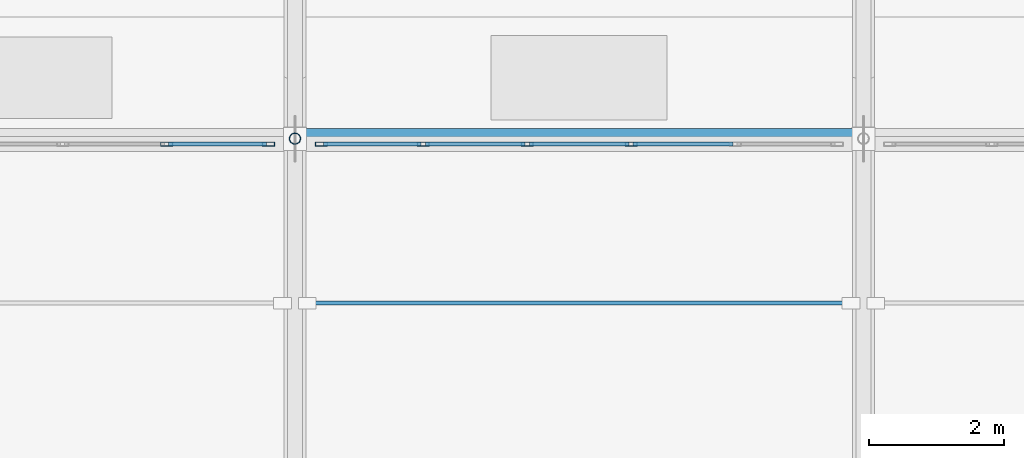
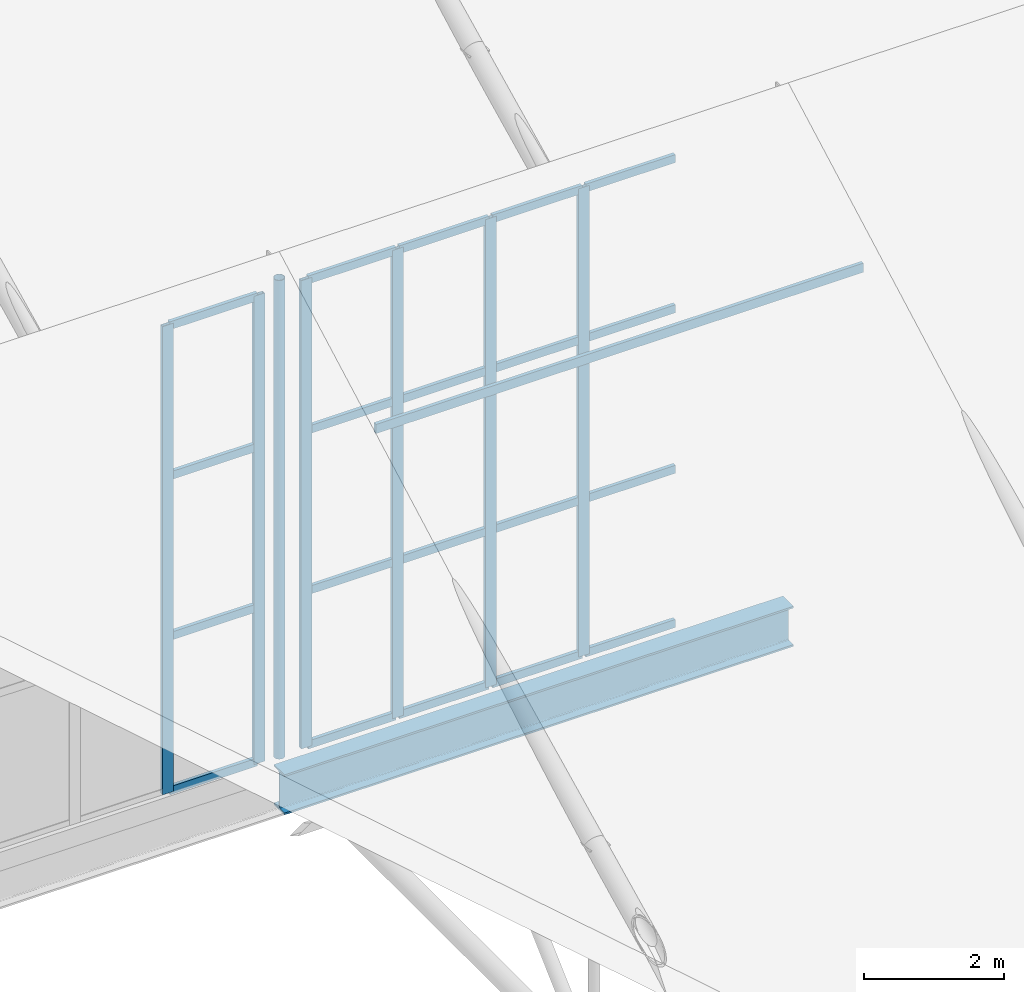
# One storey, part 13 of 38: 28 members, 1 beam, 2 elements without a shape of their own.
"""IFC4 building model written with IfcOpenShell, lengths in metres."""

from ifc_helpers import new_model, si_unit, direction, frame, origin, origin_2d, place, context, subcontext, project, spatial, hollow_rectangle, hollow_circle, i_section, extrude, material, material_profile, profile_set, type_object, element, aggregate, save


model = new_model("IFC4")

# Units and contexts
model_context = context("Model", 3, precision=1e-05, world=origin(), true_north=direction((0.0, 1.0)))
body_context = subcontext(model_context, "Body", "Model", "MODEL_VIEW")
ifc_project = project(units=[si_unit("LENGTHUNIT", "METRE"), si_unit("AREAUNIT", "SQUARE_METRE"), si_unit("VOLUMEUNIT", "CUBIC_METRE"), si_unit("PLANEANGLEUNIT", "RADIAN"), si_unit("MASSUNIT", "GRAM", prefix="KILO")], contexts=[model_context])

# Site, building, storey
site_placement = place(None, origin())
site = spatial("IfcSite", under=ifc_project, at=site_placement, CompositionType="ELEMENT")
building_placement = place(site_placement, origin())
building = spatial("IfcBuilding", under=site, at=building_placement, Name="Veltarok Museum of Natural Sciences", CompositionType="ELEMENT")
storey_placement = place(building_placement, frame((0.0, 0.0, 31.199951171875)))
storey = spatial("IfcBuildingStorey", under=building, at=storey_placement, Name="RF", CompositionType="ELEMENT", Elevation=31.199951171875)

# Beam
ifc_material_1 = material(Name="Steel S355J2", Category="steel")
ifc_material_profile_1 = material_profile(ifc_material_1, i_section(OverallWidth=0.300048828125, OverallDepth=0.699951171875, WebThickness=0.01708984375, FlangeThickness=0.031982421875, FilletRadius=0.027099609375, at=origin_2d()), Name="HEB 700")
ifc_profile_set_1 = profile_set([ifc_material_profile_1], Name="Steel S355J2")
beam_type = type_object("IfcBeamType", Name="Long-Span Hall Girder HEB 700", PredefinedType="BEAM", material=ifc_profile_set_1)
beam_placement = place(storey_placement, frame((73.60009765625, 54.0, -6.389892578125), z_axis=(1.0, 0.0, 0.0), x_axis=(0.0, 1.0, 0.0)))
element("IfcBeam", 1, at=beam_placement, inside=storey, type_object=beam_type, Name="Sawtooth Valley Girder 9-10 Y=54.0", PredefinedType="BEAM", context=body_context, shape_type="SweptSolid", body=[
    extrude(i_section(OverallWidth=0.300048828125, OverallDepth=0.699951171875, WebThickness=0.01708984375, FlangeThickness=0.031982421875, FilletRadius=0.027099609375, at=origin_2d()), origin(), (0.0, 0.0, 1.0), 8.39990234375),
])

# Curtain wall, members
ifc_material_2 = material(Name="Low-iron triple insulated glass", Category="glass")
curtain_wall_type = type_object("IfcCurtainWallType", Name="Curtain Wall System CW-SAW-M1-768x817 (Sawtooth North Clerestory M1 768x817cm)", PredefinedType="NOTDEFINED", material=ifc_material_2)
curtain_wall_1_placement = place(storey_placement, origin())
curtain_wall_1 = element("IfcCurtainWall", 2, at=curtain_wall_1_placement, inside=storey, type_object=curtain_wall_type, Name="Curtain Wall CW-SAW-M1-768x817 CW-SAW-0078", PredefinedType="NOTDEFINED")
ifc_material_3 = material(Name="Thermally broken anodised aluminium", Category="aluminium")
ifc_material_profile_2 = material_profile(ifc_material_3, hollow_rectangle(XDim=0.06005859375, YDim=0.179931640625, WallThickness=0.006103515625, at=origin_2d()), Name="CW MULLION 60x180x6")
ifc_profile_set_2 = profile_set([ifc_material_profile_2], Name="Thermally broken anodised aluminium")
member_type_1 = type_object("IfcMemberType", Name="Sawtooth Clerestory Mullion 60x180x6", PredefinedType="MULLION", material=ifc_profile_set_2)
member_1_placement = place(storey_placement, frame((73.2099609375, 53.919921875, -5.719970703125), z_axis=(0.0, 0.0, 1.0), x_axis=(0.0, -1.0, 0.0)))
member_1 = element("IfcMember", 3, at=member_1_placement, type_object=member_type_1, Name="CW-SAW-M1-768x817 mullion 1", PredefinedType="MULLION", context=body_context, shape_type="SweptSolid", body=[
    extrude(hollow_rectangle(XDim=0.06005859375, YDim=0.179931640625, WallThickness=0.006103515625, at=origin_2d()), origin(), (0.0, 0.0, 1.0), 8.169921875),
])
member_2_placement = place(storey_placement, frame((71.7041015625, 53.919921875, -5.719970703125), z_axis=(0.0, 0.0, 1.0), x_axis=(0.0, -1.0, 0.0)))
member_2 = element("IfcMember", 4, at=member_2_placement, type_object=member_type_1, Name="CW-SAW-M1-768x817 mullion 2", PredefinedType="MULLION", context=body_context, shape_type="SweptSolid", body=[
    extrude(hollow_rectangle(XDim=0.06005859375, YDim=0.179931640625, WallThickness=0.006103515625, at=origin_2d()), origin(), (0.0, 0.0, 1.0), 8.169921875),
])

curtain_wall_2_placement = place(storey_placement, origin())
curtain_wall_2 = element("IfcCurtainWall", 5, at=curtain_wall_2_placement, inside=storey, type_object=curtain_wall_type, Name="Curtain Wall CW-SAW-M1-768x817 CW-SAW-0080", PredefinedType="NOTDEFINED")
member_3_placement = place(storey_placement, frame((78.568115234375, 53.919921875, -5.719970703125), z_axis=(0.0, 0.0, 1.0), x_axis=(0.0, -1.0, 0.0)))
member_3 = element("IfcMember", 6, at=member_3_placement, type_object=member_type_1, Name="CW-SAW-M1-768x817 mullion 3", PredefinedType="MULLION", context=body_context, shape_type="SweptSolid", body=[
    extrude(hollow_rectangle(XDim=0.06005859375, YDim=0.179931640625, WallThickness=0.006103515625, at=origin_2d()), origin(), (0.0, 0.0, 1.0), 8.169921875),
])
member_4_placement = place(storey_placement, frame((77.031982421875, 53.919921875, -5.719970703125), z_axis=(0.0, 0.0, 1.0), x_axis=(0.0, -1.0, 0.0)))
member_4 = element("IfcMember", 7, at=member_4_placement, type_object=member_type_1, Name="CW-SAW-M1-768x817 mullion 4", PredefinedType="MULLION", context=body_context, shape_type="SweptSolid", body=[
    extrude(hollow_rectangle(XDim=0.06005859375, YDim=0.179931640625, WallThickness=0.006103515625, at=origin_2d()), origin(), (0.0, 0.0, 1.0), 8.169921875),
])
member_5_placement = place(storey_placement, frame((75.49609375, 53.919921875, -5.719970703125), z_axis=(0.0, 0.0, 1.0), x_axis=(0.0, -1.0, 0.0)))
member_5 = element("IfcMember", 8, at=member_5_placement, type_object=member_type_1, Name="CW-SAW-M1-768x817 mullion 5", PredefinedType="MULLION", context=body_context, shape_type="SweptSolid", body=[
    extrude(hollow_rectangle(XDim=0.06005859375, YDim=0.179931640625, WallThickness=0.006103515625, at=origin_2d()), origin(), (0.0, 0.0, 1.0), 8.169921875),
])
member_6_placement = place(storey_placement, frame((73.989990234375, 53.919921875, -5.719970703125), z_axis=(0.0, 0.0, 1.0), x_axis=(0.0, -1.0, 0.0)))
member_6 = element("IfcMember", 9, at=member_6_placement, type_object=member_type_1, Name="CW-SAW-M1-768x817 mullion 6", PredefinedType="MULLION", context=body_context, shape_type="SweptSolid", body=[
    extrude(hollow_rectangle(XDim=0.06005859375, YDim=0.179931640625, WallThickness=0.006103515625, at=origin_2d()), origin(), (0.0, 0.0, 1.0), 8.169921875),
])

# Member
ifc_material_profile_3 = material_profile(ifc_material_3, hollow_rectangle(XDim=0.06005859375, YDim=0.139892578125, WallThickness=0.0048828125, at=origin_2d()), Name="CW TRANSOM 60x140x5")
ifc_profile_set_3 = profile_set([ifc_material_profile_3], Name="Thermally broken anodised aluminium")
member_type_2 = type_object("IfcMemberType", Name="Sawtooth Clerestory Transom 60x140x5", PredefinedType="USERDEFINED", material=ifc_profile_set_3)
member_7_placement = place(storey_placement, frame((73.179931640625, 53.919921875, -5.68994140625), z_axis=(-1.0, 0.0, 0.0), x_axis=(0.0, -1.0, 0.0)))
member_7 = element("IfcMember", 10, at=member_7_placement, type_object=member_type_2, Name="CW-SAW-M1-768x817 transom 1.1", ObjectType="TRANSOM", PredefinedType="USERDEFINED", context=body_context, shape_type="SweptSolid", body=[
    extrude(hollow_rectangle(XDim=0.06005859375, YDim=0.139892578125, WallThickness=0.0048828125, at=origin_2d()), origin(), (0.0, 0.0, 1.0), 1.446044921875),
])

member_8_placement = place(storey_placement, frame((73.179931640625, 53.919921875, -3.0), z_axis=(-1.0, 0.0, 0.0), x_axis=(0.0, -1.0, 0.0)))
member_8 = element("IfcMember", 11, at=member_8_placement, type_object=member_type_2, Name="CW-SAW-M1-768x817 transom 1.2", ObjectType="TRANSOM", PredefinedType="USERDEFINED", context=body_context, shape_type="SweptSolid", body=[
    extrude(hollow_rectangle(XDim=0.06005859375, YDim=0.139892578125, WallThickness=0.0048828125, at=origin_2d()), origin(), (0.0, 0.0, 1.0), 1.446044921875),
])

member_9_placement = place(storey_placement, frame((73.179931640625, 53.919921875, -0.199951171875), z_axis=(-1.0, 0.0, 0.0), x_axis=(0.0, -1.0, 0.0)))
member_9 = element("IfcMember", 12, at=member_9_placement, type_object=member_type_2, Name="CW-SAW-M1-768x817 transom 1.3", ObjectType="TRANSOM", PredefinedType="USERDEFINED", context=body_context, shape_type="SweptSolid", body=[
    extrude(hollow_rectangle(XDim=0.06005859375, YDim=0.139892578125, WallThickness=0.0048828125, at=origin_2d()), origin(), (0.0, 0.0, 1.0), 1.446044921875),
])

member_10_placement = place(storey_placement, frame((73.179931640625, 53.919921875, 2.420166015625), z_axis=(-1.0, 0.0, 0.0), x_axis=(0.0, -1.0, 0.0)))
member_10 = element("IfcMember", 13, at=member_10_placement, type_object=member_type_2, Name="CW-SAW-M1-768x817 transom 1.4", ObjectType="TRANSOM", PredefinedType="USERDEFINED", context=body_context, shape_type="SweptSolid", body=[
    extrude(hollow_rectangle(XDim=0.06005859375, YDim=0.139892578125, WallThickness=0.0048828125, at=origin_2d()), origin(), (0.0, 0.0, 1.0), 1.446044921875),
])

aggregate(curtain_wall_1, [member_1, member_2, member_7, member_8, member_9, member_10])

member_11_placement = place(storey_placement, frame((80.073974609375, 53.919921875, -5.68994140625), z_axis=(-1.0, 0.0, 0.0), x_axis=(0.0, -1.0, 0.0)))
member_11 = element("IfcMember", 14, at=member_11_placement, type_object=member_type_2, Name="CW-SAW-M1-768x817 transom 2.1", ObjectType="TRANSOM", PredefinedType="USERDEFINED", context=body_context, shape_type="SweptSolid", body=[
    extrude(hollow_rectangle(XDim=0.06005859375, YDim=0.139892578125, WallThickness=0.0048828125, at=origin_2d()), origin(), (0.0, 0.0, 1.0), 1.47607421875),
])

member_12_placement = place(storey_placement, frame((80.073974609375, 53.919921875, -3.0), z_axis=(-1.0, 0.0, 0.0), x_axis=(0.0, -1.0, 0.0)))
member_12 = element("IfcMember", 15, at=member_12_placement, type_object=member_type_2, Name="CW-SAW-M1-768x817 transom 2.2", ObjectType="TRANSOM", PredefinedType="USERDEFINED", context=body_context, shape_type="SweptSolid", body=[
    extrude(hollow_rectangle(XDim=0.06005859375, YDim=0.139892578125, WallThickness=0.0048828125, at=origin_2d()), origin(), (0.0, 0.0, 1.0), 1.47607421875),
])

member_13_placement = place(storey_placement, frame((80.073974609375, 53.919921875, -0.199951171875), z_axis=(-1.0, 0.0, 0.0), x_axis=(0.0, -1.0, 0.0)))
member_13 = element("IfcMember", 16, at=member_13_placement, type_object=member_type_2, Name="CW-SAW-M1-768x817 transom 2.3", ObjectType="TRANSOM", PredefinedType="USERDEFINED", context=body_context, shape_type="SweptSolid", body=[
    extrude(hollow_rectangle(XDim=0.06005859375, YDim=0.139892578125, WallThickness=0.0048828125, at=origin_2d()), origin(), (0.0, 0.0, 1.0), 1.47607421875),
])

member_14_placement = place(storey_placement, frame((80.073974609375, 53.919921875, 2.420166015625), z_axis=(-1.0, 0.0, 0.0), x_axis=(0.0, -1.0, 0.0)))
member_14 = element("IfcMember", 17, at=member_14_placement, type_object=member_type_2, Name="CW-SAW-M1-768x817 transom 2.4", ObjectType="TRANSOM", PredefinedType="USERDEFINED", context=body_context, shape_type="SweptSolid", body=[
    extrude(hollow_rectangle(XDim=0.06005859375, YDim=0.139892578125, WallThickness=0.0048828125, at=origin_2d()), origin(), (0.0, 0.0, 1.0), 1.47607421875),
])

member_15_placement = place(storey_placement, frame((78.5380859375, 53.919921875, -5.68994140625), z_axis=(-1.0, 0.0, 0.0), x_axis=(0.0, -1.0, 0.0)))
member_15 = element("IfcMember", 18, at=member_15_placement, type_object=member_type_2, Name="CW-SAW-M1-768x817 transom 3.1", ObjectType="TRANSOM", PredefinedType="USERDEFINED", context=body_context, shape_type="SweptSolid", body=[
    extrude(hollow_rectangle(XDim=0.06005859375, YDim=0.139892578125, WallThickness=0.0048828125, at=origin_2d()), origin(), (0.0, 0.0, 1.0), 1.47607421875),
])

member_16_placement = place(storey_placement, frame((78.5380859375, 53.919921875, -3.0), z_axis=(-1.0, 0.0, 0.0), x_axis=(0.0, -1.0, 0.0)))
member_16 = element("IfcMember", 19, at=member_16_placement, type_object=member_type_2, Name="CW-SAW-M1-768x817 transom 3.2", ObjectType="TRANSOM", PredefinedType="USERDEFINED", context=body_context, shape_type="SweptSolid", body=[
    extrude(hollow_rectangle(XDim=0.06005859375, YDim=0.139892578125, WallThickness=0.0048828125, at=origin_2d()), origin(), (0.0, 0.0, 1.0), 1.47607421875),
])

member_17_placement = place(storey_placement, frame((78.5380859375, 53.919921875, -0.199951171875), z_axis=(-1.0, 0.0, 0.0), x_axis=(0.0, -1.0, 0.0)))
member_17 = element("IfcMember", 20, at=member_17_placement, type_object=member_type_2, Name="CW-SAW-M1-768x817 transom 3.3", ObjectType="TRANSOM", PredefinedType="USERDEFINED", context=body_context, shape_type="SweptSolid", body=[
    extrude(hollow_rectangle(XDim=0.06005859375, YDim=0.139892578125, WallThickness=0.0048828125, at=origin_2d()), origin(), (0.0, 0.0, 1.0), 1.47607421875),
])

member_18_placement = place(storey_placement, frame((78.5380859375, 53.919921875, 2.420166015625), z_axis=(-1.0, 0.0, 0.0), x_axis=(0.0, -1.0, 0.0)))
member_18 = element("IfcMember", 21, at=member_18_placement, type_object=member_type_2, Name="CW-SAW-M1-768x817 transom 3.4", ObjectType="TRANSOM", PredefinedType="USERDEFINED", context=body_context, shape_type="SweptSolid", body=[
    extrude(hollow_rectangle(XDim=0.06005859375, YDim=0.139892578125, WallThickness=0.0048828125, at=origin_2d()), origin(), (0.0, 0.0, 1.0), 1.47607421875),
])

member_19_placement = place(storey_placement, frame((77.001953125, 53.919921875, -5.68994140625), z_axis=(-1.0, 0.0, 0.0), x_axis=(0.0, -1.0, 0.0)))
member_19 = element("IfcMember", 22, at=member_19_placement, type_object=member_type_2, Name="CW-SAW-M1-768x817 transom 4.1", ObjectType="TRANSOM", PredefinedType="USERDEFINED", context=body_context, shape_type="SweptSolid", body=[
    extrude(hollow_rectangle(XDim=0.06005859375, YDim=0.139892578125, WallThickness=0.0048828125, at=origin_2d()), origin(), (0.0, 0.0, 1.0), 1.47607421875),
])

member_20_placement = place(storey_placement, frame((77.001953125, 53.919921875, -3.0), z_axis=(-1.0, 0.0, 0.0), x_axis=(0.0, -1.0, 0.0)))
member_20 = element("IfcMember", 23, at=member_20_placement, type_object=member_type_2, Name="CW-SAW-M1-768x817 transom 4.2", ObjectType="TRANSOM", PredefinedType="USERDEFINED", context=body_context, shape_type="SweptSolid", body=[
    extrude(hollow_rectangle(XDim=0.06005859375, YDim=0.139892578125, WallThickness=0.0048828125, at=origin_2d()), origin(), (0.0, 0.0, 1.0), 1.47607421875),
])

member_21_placement = place(storey_placement, frame((77.001953125, 53.919921875, -0.199951171875), z_axis=(-1.0, 0.0, 0.0), x_axis=(0.0, -1.0, 0.0)))
member_21 = element("IfcMember", 24, at=member_21_placement, type_object=member_type_2, Name="CW-SAW-M1-768x817 transom 4.3", ObjectType="TRANSOM", PredefinedType="USERDEFINED", context=body_context, shape_type="SweptSolid", body=[
    extrude(hollow_rectangle(XDim=0.06005859375, YDim=0.139892578125, WallThickness=0.0048828125, at=origin_2d()), origin(), (0.0, 0.0, 1.0), 1.47607421875),
])

member_22_placement = place(storey_placement, frame((77.001953125, 53.919921875, 2.420166015625), z_axis=(-1.0, 0.0, 0.0), x_axis=(0.0, -1.0, 0.0)))
member_22 = element("IfcMember", 25, at=member_22_placement, type_object=member_type_2, Name="CW-SAW-M1-768x817 transom 4.4", ObjectType="TRANSOM", PredefinedType="USERDEFINED", context=body_context, shape_type="SweptSolid", body=[
    extrude(hollow_rectangle(XDim=0.06005859375, YDim=0.139892578125, WallThickness=0.0048828125, at=origin_2d()), origin(), (0.0, 0.0, 1.0), 1.47607421875),
])

member_23_placement = place(storey_placement, frame((75.466064453125, 53.919921875, -5.68994140625), z_axis=(-1.0, 0.0, 0.0), x_axis=(0.0, -1.0, 0.0)))
member_23 = element("IfcMember", 26, at=member_23_placement, type_object=member_type_2, Name="CW-SAW-M1-768x817 transom 5.1", ObjectType="TRANSOM", PredefinedType="USERDEFINED", context=body_context, shape_type="SweptSolid", body=[
    extrude(hollow_rectangle(XDim=0.06005859375, YDim=0.139892578125, WallThickness=0.0048828125, at=origin_2d()), origin(), (0.0, 0.0, 1.0), 1.446044921875),
])

member_24_placement = place(storey_placement, frame((75.466064453125, 53.919921875, -3.0), z_axis=(-1.0, 0.0, 0.0), x_axis=(0.0, -1.0, 0.0)))
member_24 = element("IfcMember", 27, at=member_24_placement, type_object=member_type_2, Name="CW-SAW-M1-768x817 transom 5.2", ObjectType="TRANSOM", PredefinedType="USERDEFINED", context=body_context, shape_type="SweptSolid", body=[
    extrude(hollow_rectangle(XDim=0.06005859375, YDim=0.139892578125, WallThickness=0.0048828125, at=origin_2d()), origin(), (0.0, 0.0, 1.0), 1.446044921875),
])

member_25_placement = place(storey_placement, frame((75.466064453125, 53.919921875, -0.199951171875), z_axis=(-1.0, 0.0, 0.0), x_axis=(0.0, -1.0, 0.0)))
member_25 = element("IfcMember", 28, at=member_25_placement, type_object=member_type_2, Name="CW-SAW-M1-768x817 transom 5.3", ObjectType="TRANSOM", PredefinedType="USERDEFINED", context=body_context, shape_type="SweptSolid", body=[
    extrude(hollow_rectangle(XDim=0.06005859375, YDim=0.139892578125, WallThickness=0.0048828125, at=origin_2d()), origin(), (0.0, 0.0, 1.0), 1.446044921875),
])

member_26_placement = place(storey_placement, frame((75.466064453125, 53.919921875, 2.420166015625), z_axis=(-1.0, 0.0, 0.0), x_axis=(0.0, -1.0, 0.0)))
member_26 = element("IfcMember", 29, at=member_26_placement, type_object=member_type_2, Name="CW-SAW-M1-768x817 transom 5.4", ObjectType="TRANSOM", PredefinedType="USERDEFINED", context=body_context, shape_type="SweptSolid", body=[
    extrude(hollow_rectangle(XDim=0.06005859375, YDim=0.139892578125, WallThickness=0.0048828125, at=origin_2d()), origin(), (0.0, 0.0, 1.0), 1.446044921875),
])

aggregate(curtain_wall_2, [member_3, member_4, member_5, member_6, member_11, member_12, member_13, member_14, member_15, member_16, member_17, member_18, member_19, member_20, member_21, member_22, member_23, member_24, member_25, member_26])

# Members
ifc_material_profile_4 = material_profile(ifc_material_1, hollow_rectangle(XDim=0.06005859375, YDim=0.159912109375, WallThickness=0.0048828125, at=origin_2d()), Name="RHS 160x60x5")
ifc_profile_set_4 = profile_set([ifc_material_profile_4], Name="Steel S355J2")
member_type_3 = type_object("IfcMemberType", Name="Sawtooth Roof Purlin RHS 160x60x5", PredefinedType="PURLIN", material=ifc_profile_set_4)
member_27_placement = place(storey_placement, frame((73.780029296875, 51.570068359375, 1.32958984375), z_axis=(1.0, 0.0, 0.0), x_axis=(0.0, 1.0, 0.0)))
element("IfcMember", 30, at=member_27_placement, inside=storey, type_object=member_type_3, Name="Sawtooth Purlin 9-10 M1", PredefinedType="PURLIN", context=body_context, shape_type="SweptSolid", body=[
    extrude(hollow_rectangle(XDim=0.06005859375, YDim=0.159912109375, WallThickness=0.0048828125, at=origin_2d()), origin(), (0.0, 0.0, 1.0), 8.0400390625),
])
ifc_material_4 = material(Name="Oxide-red painted Steel S355J2", Category="steel")
ifc_material_profile_5 = material_profile(ifc_material_4, hollow_circle(Radius=0.084228515625, WallThickness=0.008056640625, at=origin_2d()), Name="CHS 168.3x8")
ifc_profile_set_5 = profile_set([ifc_material_profile_5], Name="Oxide-red painted Steel S355J2")
member_type_4 = type_object("IfcMemberType", Name="Sawtooth Truss Vertical Strut CHS 168.3x8", PredefinedType="STRUT", material=ifc_profile_set_5)
member_28_placement = place(storey_placement, frame((73.60009765625, 54.0, -5.800048828125), z_axis=(0.0, 0.0, 1.0), x_axis=(1.0, 0.0, 0.0)))
element("IfcMember", 31, at=member_28_placement, inside=storey, type_object=member_type_4, Name="Roof Truss Strut 9 M1", PredefinedType="STRUT", context=body_context, shape_type="SweptSolid", body=[
    extrude(hollow_circle(Radius=0.084228515625, WallThickness=0.008056640625, at=origin_2d()), origin(), (0.0, 0.0, 1.0), 8.35009765625),
])

save(model, "model.ifc")
